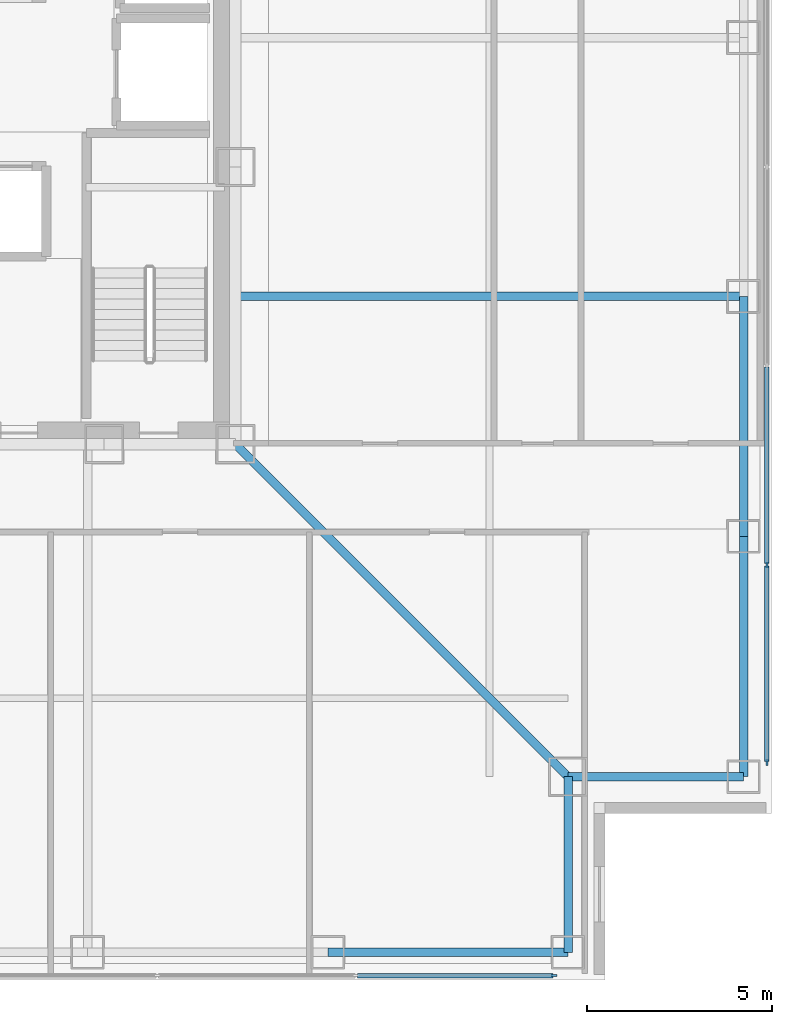
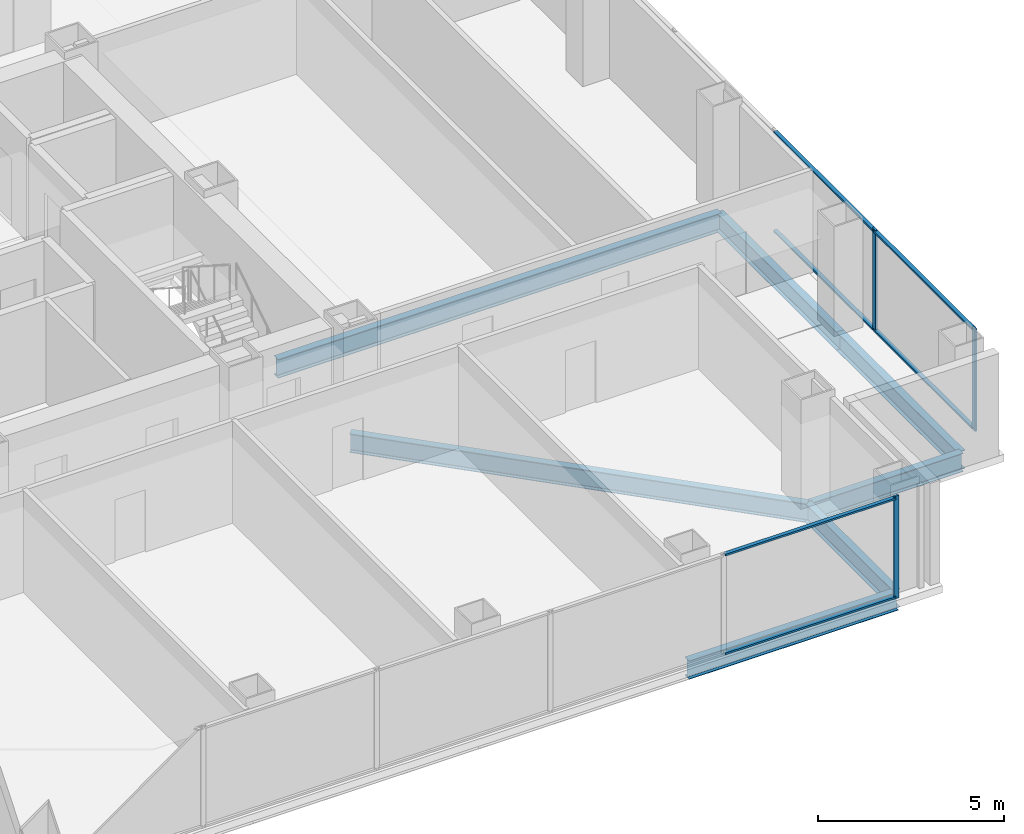
# One storey, part 7 of 17: 9 members, 7 beams, 2 elements without a shape of their own.
"""IFC4 building model written with IfcOpenShell, lengths in metres."""

from ifc_helpers import new_model, si_unit, direction, frame, origin, origin_2d, place, context, subcontext, project, spatial, rectangle, i_section, extrude, material, layer, layer_set, material_profile, profile_set, type_object, element, aggregate, save


model = new_model("IFC4")

# Units and contexts
model_context = context("Model", 3, precision=1e-05, world=origin(), true_north=direction((0.0, 1.0)))
body_context = subcontext(model_context, "Body", "Model", "MODEL_VIEW")
ifc_project = project(units=[si_unit("LENGTHUNIT", "METRE"), si_unit("AREAUNIT", "SQUARE_METRE"), si_unit("VOLUMEUNIT", "CUBIC_METRE"), si_unit("PLANEANGLEUNIT", "RADIAN"), si_unit("MASSUNIT", "GRAM", prefix="KILO")], contexts=[model_context])

# Site, building, storey
site_placement = place(None, origin())
site = spatial("IfcSite", under=ifc_project, at=site_placement, CompositionType="ELEMENT")
building_placement = place(site_placement, origin())
building = spatial("IfcBuilding", under=site, at=building_placement, Name="Trevonay Congress Spire", CompositionType="ELEMENT")
storey_placement = place(building_placement, frame((0.0, 0.0, 108.39990234375)))
storey = spatial("IfcBuildingStorey", under=building, at=storey_placement, Name="L27", CompositionType="ELEMENT", Elevation=108.39990234375)

# Beams
ifc_material_1 = material(Name="Steel ASTM A572 Grade 50", Category="steel")
ifc_material_profile_1 = material_profile(ifc_material_1, i_section(OverallWidth=0.22998046875, OverallDepth=0.616943359375, WebThickness=0.01318359375, FlangeThickness=0.022216796875, FilletRadius=0.01611328125, at=origin_2d()), Name="W610x140")
ifc_profile_set_1 = profile_set([ifc_material_profile_1], Name="Steel ASTM A572 Grade 50")
beam_type_1 = type_object("IfcBeamType", Name="BM-GIRD-W610X140", PredefinedType="BEAM", material=ifc_profile_set_1)
beam_1_placement = place(storey_placement, frame((7.5, -7.5, -0.54833984375), z_axis=(0.707106781187, -0.707106781187, 0.0), x_axis=(0.707106781187, 0.707106781187, 0.0)))
element("IfcBeam", 1, at=beam_1_placement, inside=storey, type_object=beam_type_1, Name="L27 structural beam BM-L27-CDSE", PredefinedType="BEAM", context=body_context, shape_type="SweptSolid", body=[
    extrude(i_section(OverallWidth=0.22998046875, OverallDepth=0.616943359375, WebThickness=0.01318359375, FlangeThickness=0.022216796875, FilletRadius=0.01611328125, at=origin_2d()), origin(), (0.0, 0.0, 1.0), 12.72802734375),
])
beam_2_placement = place(storey_placement, frame((7.5, -3.5, -0.54833984375), z_axis=(1.0, 0.0, 0.0), x_axis=(0.0, 1.0, 0.0)))
element("IfcBeam", 2, at=beam_2_placement, inside=storey, type_object=beam_type_1, Name="L27 structural beam BM-L27-GE-M", PredefinedType="BEAM", context=body_context, shape_type="SweptSolid", body=[
    extrude(i_section(OverallWidth=0.22998046875, OverallDepth=0.616943359375, WebThickness=0.01318359375, FlangeThickness=0.022216796875, FilletRadius=0.01611328125, at=origin_2d()), origin(), (0.0, 0.0, 1.0), 13.75),
])
ifc_material_profile_2 = material_profile(ifc_material_1, i_section(OverallWidth=0.22802734375, OverallDepth=0.60791015625, WebThickness=0.01123046875, FlangeThickness=0.017333984375, FilletRadius=0.01611328125, at=origin_2d()), Name="W610x113")
ifc_profile_set_2 = profile_set([ifc_material_profile_2], Name="Steel ASTM A572 Grade 50")
beam_type_2 = type_object("IfcBeamType", Name="BM-RING-W610X113", PredefinedType="BEAM", material=ifc_profile_set_2)
for number, where, z_axis, x_axis, name in (
    (3, (21.25, -16.5, -0.5439453125), (0.0, 1.0, 0.0), (-1.0, 0.0, 0.0), "L27 structural beam BM-L27-PE1"),
    (4, (21.25, -10.0, -0.5439453125), (0.0, 1.0, 0.0), (-1.0, 0.0, 0.0), "L27 structural beam BM-L27-PE2"),
    (5, (10.0, -21.25, -0.5439453125), (1.0, 0.0, 0.0), (0.0, 1.0, 0.0), "L27 structural beam BM-L27-PS5"),
):
    element("IfcBeam", number, at=place(storey_placement, frame(where, z_axis=z_axis, x_axis=x_axis)), inside=storey, type_object=beam_type_2, Name=name, PredefinedType="BEAM", context=body_context, shape_type="SweptSolid", body=[
        extrude(i_section(OverallWidth=0.22802734375, OverallDepth=0.60791015625, WebThickness=0.01123046875, FlangeThickness=0.017333984375, FilletRadius=0.01611328125, at=origin_2d()), origin(), (0.0, 0.0, 1.0), 6.5),
    ])
for number, where, z_axis, x_axis, name in (
    (6, (16.5, -21.25, -0.5439453125), (0.0, 1.0, 0.0), (-1.0, 0.0, 0.0), "L27 structural beam BM-L27-N1SE"),
    (7, (21.25, -16.5, -0.5439453125), (-1.0, 0.0, 0.0), (0.0, -1.0, 0.0), "L27 structural beam BM-L27-N2SE"),
):
    element("IfcBeam", number, at=place(storey_placement, frame(where, z_axis=z_axis, x_axis=x_axis)), inside=storey, type_object=beam_type_2, Name=name, PredefinedType="BEAM", context=body_context, shape_type="SweptSolid", body=[
        extrude(i_section(OverallWidth=0.22802734375, OverallDepth=0.60791015625, WebThickness=0.01123046875, FlangeThickness=0.017333984375, FilletRadius=0.01611328125, at=origin_2d()), origin(), (0.0, 0.0, 1.0), 4.75),
    ])

# Curtain wall, member
ifc_material_2 = material(Name="Pale Anodised Aluminium EN AW-6063-T6", Category="aluminium")
ifc_layer = layer(ifc_material_2, 0.175048828125, Name="Pale Anodised Aluminium EN AW-6063-T6")
ifc_layer_set = layer_set([ifc_layer], Name="Pale Anodised Aluminium EN AW-6063-T6")
curtain_wall_type = type_object("IfcCurtainWallType", Name="CW-SYS03-CONGRESS-PALE-METAL", PredefinedType="NOTDEFINED", material=ifc_layer_set)
curtain_wall_1_placement = place(storey_placement, origin())
curtain_wall_1 = element("IfcCurtainWall", 8, at=curtain_wall_1_placement, inside=storey, type_object=curtain_wall_type, Name="L27 S unitised curtain wall", PredefinedType="NOTDEFINED")
ifc_material_profile_3 = material_profile(ifc_material_2, rectangle(XDim=0.06005859375, YDim=0.159912109375, at=origin_2d()), Name="CW-MULLION-160-ALUMINIUM")
ifc_profile_set_3 = profile_set([ifc_material_profile_3], Name="Pale Anodised Aluminium EN AW-6063-T6")
member_type_1 = type_object("IfcMemberType", Name="CW-MULLION-160-ALUMINIUM", PredefinedType="MULLION", material=ifc_profile_set_3)
member_1_placement = place(storey_placement, frame((16.1201171875, -21.8798828125, 0.0), z_axis=(0.0, 0.0, 1.0), x_axis=(0.0, 1.0, 0.0)))
member_1 = element("IfcMember", 9, at=member_1_placement, type_object=member_type_1, Name="CW03 mullion 7", PredefinedType="MULLION", context=body_context, shape_type="SweptSolid", body=[
    extrude(rectangle(XDim=0.06005859375, YDim=0.159912109375, at=origin_2d()), origin(), (0.0, 0.0, 1.0), 3.360107421875),
])

# Curtain wall, members
curtain_wall_2_placement = place(storey_placement, origin())
curtain_wall_2 = element("IfcCurtainWall", 10, at=curtain_wall_2_placement, inside=storey, type_object=curtain_wall_type, Name="L27 E unitised curtain wall", PredefinedType="NOTDEFINED")
member_2_placement = place(storey_placement, frame((21.8798828125, -16.1201171875, 0.0), z_axis=(0.0, 0.0, 1.0), x_axis=(-1.0, 0.0, 0.0)))
member_2 = element("IfcMember", 11, at=member_2_placement, type_object=member_type_1, Name="CW03 mullion 1", PredefinedType="MULLION", context=body_context, shape_type="SweptSolid", body=[
    extrude(rectangle(XDim=0.06005859375, YDim=0.159912109375, at=origin_2d()), origin(), (0.0, 0.0, 1.0), 3.360107421875),
])
member_3_placement = place(storey_placement, frame((21.8798828125, -10.7666015625, 0.0), z_axis=(0.0, 0.0, 1.0), x_axis=(-1.0, 0.0, 0.0)))
member_3 = element("IfcMember", 12, at=member_3_placement, type_object=member_type_1, Name="CW03 mullion 2", PredefinedType="MULLION", context=body_context, shape_type="SweptSolid", body=[
    extrude(rectangle(XDim=0.06005859375, YDim=0.159912109375, at=origin_2d()), origin(), (0.0, 0.0, 1.0), 3.360107421875),
])

# Member
ifc_material_profile_4 = material_profile(ifc_material_2, rectangle(XDim=0.1201171875, YDim=0.06005859375, at=origin_2d()), Name="CW-TRANSOM-120-ALUMINIUM")
ifc_profile_set_4 = profile_set([ifc_material_profile_4], Name="Pale Anodised Aluminium EN AW-6063-T6")
member_type_2 = type_object("IfcMemberType", Name="CW-TRANSOM-120-ALUMINIUM", PredefinedType="USERDEFINED", material=ifc_profile_set_4)
member_4_placement = place(storey_placement, frame((10.796630859375, -21.8798828125, 0.06005859375), z_axis=(1.0, 0.0, 0.0), x_axis=(0.0, 1.0, 0.0)))
member_4 = element("IfcMember", 13, at=member_4_placement, type_object=member_type_2, Name="CW03 transom 6.1", ObjectType="TRANSOM", PredefinedType="USERDEFINED", context=body_context, shape_type="SweptSolid", body=[
    extrude(rectangle(XDim=0.1201171875, YDim=0.06005859375, at=origin_2d()), origin(), (0.0, 0.0, 1.0), 5.29345703125),
])

member_5_placement = place(storey_placement, frame((10.796630859375, -21.8798828125, 3.300048828125), z_axis=(1.0, 0.0, 0.0), x_axis=(0.0, 1.0, 0.0)))
member_5 = element("IfcMember", 14, at=member_5_placement, type_object=member_type_2, Name="CW03 transom 6.2", ObjectType="TRANSOM", PredefinedType="USERDEFINED", context=body_context, shape_type="SweptSolid", body=[
    extrude(rectangle(XDim=0.1201171875, YDim=0.06005859375, at=origin_2d()), origin(), (0.0, 0.0, 1.0), 5.29345703125),
])

aggregate(curtain_wall_1, [member_1, member_4, member_5])

member_6_placement = place(storey_placement, frame((21.8798828125, -16.090087890625, 0.06005859375), z_axis=(0.0, 1.0, 0.0), x_axis=(-1.0, 0.0, 0.0)))
member_6 = element("IfcMember", 15, at=member_6_placement, type_object=member_type_2, Name="CW03 transom 1.1", ObjectType="TRANSOM", PredefinedType="USERDEFINED", context=body_context, shape_type="SweptSolid", body=[
    extrude(rectangle(XDim=0.1201171875, YDim=0.06005859375, at=origin_2d()), origin(), (0.0, 0.0, 1.0), 5.29345703125),
])

member_7_placement = place(storey_placement, frame((21.8798828125, -16.090087890625, 3.300048828125), z_axis=(0.0, 1.0, 0.0), x_axis=(-1.0, 0.0, 0.0)))
member_7 = element("IfcMember", 16, at=member_7_placement, type_object=member_type_2, Name="CW03 transom 1.2", ObjectType="TRANSOM", PredefinedType="USERDEFINED", context=body_context, shape_type="SweptSolid", body=[
    extrude(rectangle(XDim=0.1201171875, YDim=0.06005859375, at=origin_2d()), origin(), (0.0, 0.0, 1.0), 5.29345703125),
])

member_8_placement = place(storey_placement, frame((21.8798828125, -10.736572265625, 0.06005859375), z_axis=(0.0, 1.0, 0.0), x_axis=(-1.0, 0.0, 0.0)))
member_8 = element("IfcMember", 17, at=member_8_placement, type_object=member_type_2, Name="CW03 transom 2.1", ObjectType="TRANSOM", PredefinedType="USERDEFINED", context=body_context, shape_type="SweptSolid", body=[
    extrude(rectangle(XDim=0.1201171875, YDim=0.06005859375, at=origin_2d()), origin(), (0.0, 0.0, 1.0), 5.3232421875),
])

member_9_placement = place(storey_placement, frame((21.8798828125, -10.736572265625, 3.300048828125), z_axis=(0.0, 1.0, 0.0), x_axis=(-1.0, 0.0, 0.0)))
member_9 = element("IfcMember", 18, at=member_9_placement, type_object=member_type_2, Name="CW03 transom 2.2", ObjectType="TRANSOM", PredefinedType="USERDEFINED", context=body_context, shape_type="SweptSolid", body=[
    extrude(rectangle(XDim=0.1201171875, YDim=0.06005859375, at=origin_2d()), origin(), (0.0, 0.0, 1.0), 5.3232421875),
])

aggregate(curtain_wall_2, [member_2, member_3, member_6, member_7, member_8, member_9])

save(model, "model.ifc")
